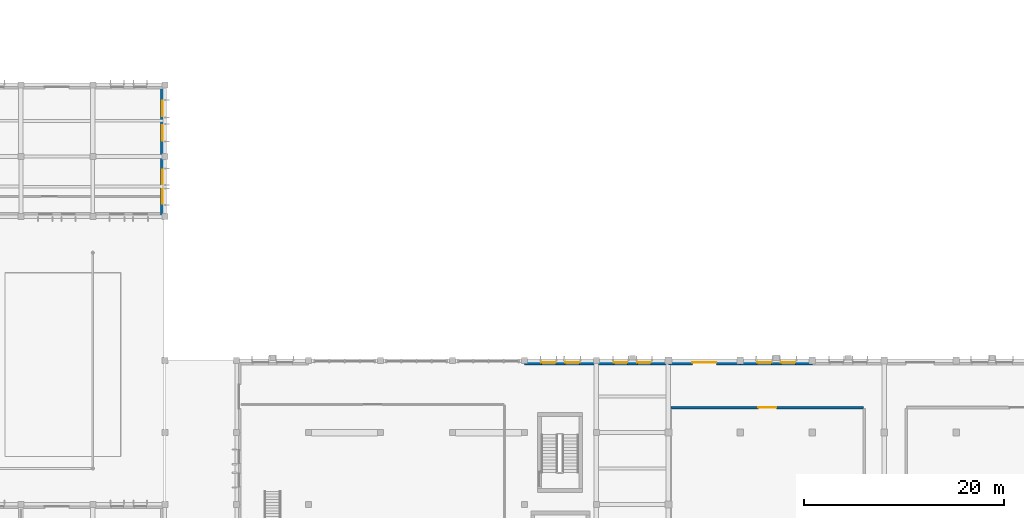
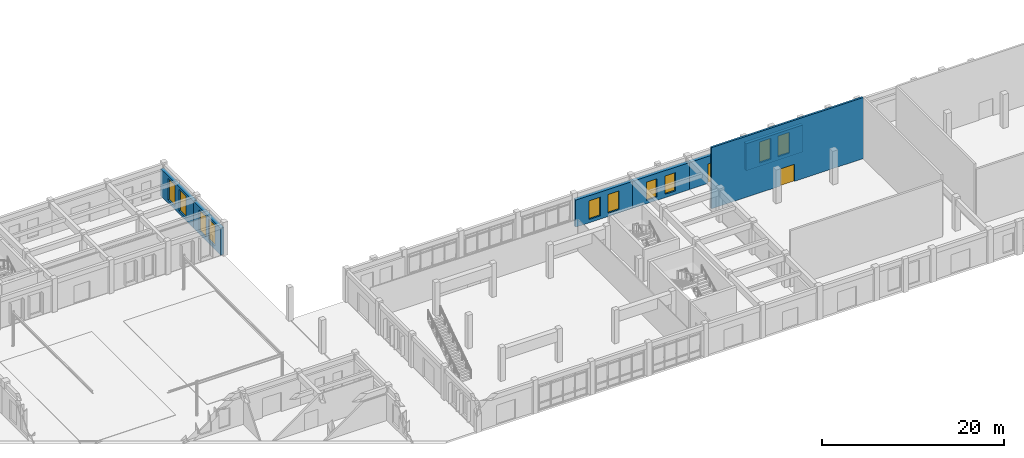
# One storey, part 27 of 43: 10 windows, 7 walls, 2 doors, 12 openings.
"""IFC4 building model written with IfcOpenShell, lengths in metres."""

from ifc_helpers import new_model, si_unit, direction, frame, frame_2d, origin, place, context, subcontext, project, spatial, rectangle, extrude, material, layer, layer_set, type_object, element, fill, save


model = new_model("IFC4")

# Units and contexts
model_context = context("Model", 3, precision=1e-05, world=origin(), true_north=direction((0.0, 1.0)))
body_context = subcontext(model_context, "Body", "Model", "MODEL_VIEW")
ifc_project = project(units=[si_unit("LENGTHUNIT", "METRE"), si_unit("AREAUNIT", "SQUARE_METRE"), si_unit("VOLUMEUNIT", "CUBIC_METRE"), si_unit("PLANEANGLEUNIT", "RADIAN"), si_unit("MASSUNIT", "GRAM", prefix="KILO")], contexts=[model_context])

# Site, building, storey
site_placement = place(None, origin())
site = spatial("IfcSite", under=ifc_project, at=site_placement, CompositionType="ELEMENT")
building_placement = place(site_placement, origin())
building = spatial("IfcBuilding", under=site, at=building_placement, Name="Alvorim Cloister Faculty of Sciences", CompositionType="ELEMENT")
storey_placement = place(building_placement, origin())
storey = spatial("IfcBuildingStorey", under=building, at=storey_placement, Name="L00", CompositionType="ELEMENT", Elevation=0.0)

# Wall, openings, windows
ifc_material_1 = material(Name="Maua Grey Granite Stone", Category="masonry")
ifc_layer_1 = layer(ifc_material_1, 0.419921875)
ifc_layer_set_1 = layer_set([ifc_layer_1], Name="Maua Grey Granite Stone")
wall_type_1 = type_object("IfcWallType", Name="WL-EXT-GRN-420", PredefinedType="SOLIDWALL", material=ifc_layer_set_1)
wall_1_placement = place(storey_placement, frame((64.590087890625, 49.199951171875, 0.0), z_axis=(0.0, 0.0, 1.0), x_axis=(0.0, 1.0, 0.0)))
wall_1 = element("IfcWall", 1, at=wall_1_placement, inside=storey, type_object=wall_type_1, Name="L00 Exterior Wall WL-0061", PredefinedType="SOLIDWALL", context=body_context, shape_type="SweptSolid", body=[
    extrude(rectangle(XDim=7.199951171875, YDim=0.419921875, at=frame_2d((3.60009765625, 0.0))), origin(), (0.0, 0.0, 1.0), 3.6201171875),
])
opening_1_placement = place(wall_1_placement, frame((1.61669921875, 0.0, 0.449951171875)))
opening_1 = element("IfcOpeningElement", 2, at=opening_1_placement, cuts=wall_1, Name="Opening W-07", PredefinedType="OPENING", context=body_context, shape_type="SweptSolid", body=[
    extrude(rectangle(XDim=1.550048828125, YDim=2.85009765625, at=frame_2d((0.77490234375, 1.425048828125))), frame((0.0, 0.221923828125, 0.0), z_axis=(0.0, -1.0, 0.0), x_axis=(1.0, 0.0, 0.0)), (0.0, 0.0, 1.0), 0.44384765625),
])
opening_2_placement = place(wall_1_placement, frame((4.033203125, 0.0, 0.449951171875)))
opening_2 = element("IfcOpeningElement", 3, at=opening_2_placement, cuts=wall_1, Name="Opening W-07", PredefinedType="OPENING", context=body_context, shape_type="SweptSolid", body=[
    extrude(rectangle(XDim=1.550048828125, YDim=2.85009765625, at=frame_2d((0.77490234375, 1.425048828125))), frame((0.0, 0.221923828125, 0.0), z_axis=(0.0, -1.0, 0.0), x_axis=(1.0, 0.0, 0.0)), (0.0, 0.0, 1.0), 0.44384765625),
])
ifc_material_2 = material(Name="Double Low-E Laminated Glass", Category="glass")
window_type_1 = type_object("IfcWindowType", Name="WN-LAN-1550x2850", PartitioningType="SINGLE_PANEL", PredefinedType="WINDOW", material=ifc_material_2)
window_1_placement = place(opening_1_placement, origin())
window_1 = element("IfcWindow", 4, at=window_1_placement, inside=storey, type_object=window_type_1, Name="L00 Gothic Lancet Window WN-0065", OverallHeight=2.85009765625, OverallWidth=1.550048828125, PartitioningType="SINGLE_PANEL", PredefinedType="WINDOW", context=body_context, shape_type="SweptSolid", body=[
    extrude(rectangle(XDim=1.550048828125, YDim=2.85009765625, at=frame_2d((0.77490234375, 1.425048828125))), frame((0.0, 0.030029296875, 0.0), z_axis=(0.0, -1.0, 0.0), x_axis=(1.0, 0.0, 0.0)), (0.0, 0.0, 1.0), 0.06005859375),
])
fill(opening_1, window_1)
window_2_placement = place(opening_2_placement, origin())
window_2 = element("IfcWindow", 5, at=window_2_placement, inside=storey, type_object=window_type_1, Name="L00 Gothic Lancet Window WN-0066", OverallHeight=2.85009765625, OverallWidth=1.550048828125, PartitioningType="SINGLE_PANEL", PredefinedType="WINDOW", context=body_context, shape_type="SweptSolid", body=[
    extrude(rectangle(XDim=1.550048828125, YDim=2.85009765625, at=frame_2d((0.77490234375, 1.425048828125))), frame((0.0, 0.030029296875, 0.0), z_axis=(0.0, -1.0, 0.0), x_axis=(1.0, 0.0, 0.0)), (0.0, 0.0, 1.0), 0.06005859375),
])
fill(opening_2, window_2)

wall_2_placement = place(storey_placement, frame((64.590087890625, 43.199951171875, 0.0), z_axis=(0.0, 0.0, 1.0), x_axis=(0.0, 1.0, 0.0)))
wall_2 = element("IfcWall", 6, at=wall_2_placement, inside=storey, type_object=wall_type_1, Name="L00 Exterior Wall WL-0062", PredefinedType="SOLIDWALL", context=body_context, shape_type="SweptSolid", body=[
    extrude(rectangle(XDim=6.0, YDim=0.419921875, at=frame_2d((3.0, 0.0))), origin(), (0.0, 0.0, 1.0), 3.6201171875),
])
opening_3_placement = place(wall_2_placement, frame((1.283203125, 0.0, 0.449951171875)))
opening_3 = element("IfcOpeningElement", 7, at=opening_3_placement, cuts=wall_2, Name="Opening W-08", PredefinedType="OPENING", context=body_context, shape_type="SweptSolid", body=[
    extrude(rectangle(XDim=1.449951171875, YDim=2.800048828125, at=frame_2d((0.72509765625, 1.39990234375))), frame((0.0, 0.221923828125, 0.0), z_axis=(0.0, -1.0, 0.0), x_axis=(1.0, 0.0, 0.0)), (0.0, 0.0, 1.0), 0.44384765625),
])
opening_4_placement = place(wall_2_placement, frame((3.2666015625, 0.0, 0.449951171875)))
opening_4 = element("IfcOpeningElement", 8, at=opening_4_placement, cuts=wall_2, Name="Opening W-08", PredefinedType="OPENING", context=body_context, shape_type="SweptSolid", body=[
    extrude(rectangle(XDim=1.449951171875, YDim=2.800048828125, at=frame_2d((0.72509765625, 1.39990234375))), frame((0.0, 0.221923828125, 0.0), z_axis=(0.0, -1.0, 0.0), x_axis=(1.0, 0.0, 0.0)), (0.0, 0.0, 1.0), 0.44384765625),
])
window_type_2 = type_object("IfcWindowType", Name="WN-LAN-1450x2800", PartitioningType="SINGLE_PANEL", PredefinedType="WINDOW", material=ifc_material_2)
window_3_placement = place(opening_3_placement, origin())
window_3 = element("IfcWindow", 9, at=window_3_placement, inside=storey, type_object=window_type_2, Name="L00 Gothic Lancet Window WN-0067", OverallHeight=2.800048828125, OverallWidth=1.449951171875, PartitioningType="SINGLE_PANEL", PredefinedType="WINDOW", context=body_context, shape_type="SweptSolid", body=[
    extrude(rectangle(XDim=1.449951171875, YDim=2.800048828125, at=frame_2d((0.72509765625, 1.39990234375))), frame((0.0, 0.030029296875, 0.0), z_axis=(0.0, -1.0, 0.0), x_axis=(1.0, 0.0, 0.0)), (0.0, 0.0, 1.0), 0.06005859375),
])
fill(opening_3, window_3)
window_4_placement = place(opening_4_placement, origin())
window_4 = element("IfcWindow", 10, at=window_4_placement, inside=storey, type_object=window_type_2, Name="L00 Gothic Lancet Window WN-0068", OverallHeight=2.800048828125, OverallWidth=1.449951171875, PartitioningType="SINGLE_PANEL", PredefinedType="WINDOW", context=body_context, shape_type="SweptSolid", body=[
    extrude(rectangle(XDim=1.449951171875, YDim=2.800048828125, at=frame_2d((0.72509765625, 1.39990234375))), frame((0.0, 0.030029296875, 0.0), z_axis=(0.0, -1.0, 0.0), x_axis=(1.0, 0.0, 0.0)), (0.0, 0.0, 1.0), 0.06005859375),
])
fill(opening_4, window_4)

# Wall, opening, door
wall_3_placement = place(storey_placement, frame((115.199951171875, 28.590087890625, 0.0), z_axis=(0.0, 0.0, 1.0), x_axis=(1.0, 0.0, 0.0)))
wall_3 = element("IfcWall", 11, at=wall_3_placement, inside=storey, type_object=wall_type_1, Name="L00 Exterior Wall WL-0077", PredefinedType="SOLIDWALL", context=body_context, shape_type="SweptSolid", body=[
    extrude(rectangle(XDim=7.199951171875, YDim=0.419921875, at=frame_2d((3.60009765625, 0.0))), origin(), (0.0, 0.0, 1.0), 3.6201171875),
])
opening_5_placement = place(wall_3_placement, frame((2.39990234375, 0.0, 0.0)))
opening_5 = element("IfcOpeningElement", 12, at=opening_5_placement, cuts=wall_3, Name="Opening SG-02", PredefinedType="OPENING", context=body_context, shape_type="SweptSolid", body=[
    extrude(rectangle(XDim=2.39990234375, YDim=2.60009765625, at=frame_2d((1.199951171875, 1.300048828125))), frame((0.0, 0.221923828125, 0.0), z_axis=(0.0, -1.0, 0.0), x_axis=(1.0, 0.0, 0.0)), (0.0, 0.0, 1.0), 0.44384765625),
])
ifc_material_3 = material(Name="Galvanised Steel Sheet", Category="steel")
door_type_1 = type_object("IfcDoorType", Name="DR-GATE-2400x2600", OperationType="NOTDEFINED", PredefinedType="GATE", material=ifc_material_3)
door_1_placement = place(opening_5_placement, origin())
door_1 = element("IfcDoor", 13, at=door_1_placement, inside=storey, type_object=door_type_1, Name="West Auditorium Yard Gate SG-02", OperationType="DOUBLE_DOOR_SINGLE_SWING", OverallHeight=2.60009765625, OverallWidth=2.39990234375, PredefinedType="GATE", context=body_context, shape_type="SweptSolid", body=[
    extrude(rectangle(XDim=2.39990234375, YDim=2.60009765625, at=frame_2d((1.199951171875, 1.300048828125))), frame((0.0, 0.02490234375, 0.0), z_axis=(0.0, -1.0, 0.0), x_axis=(1.0, 0.0, 0.0)), (0.0, 0.0, 1.0), 0.050048828125),
])
fill(opening_5, door_1)

# Wall, openings, windows
wall_4_placement = place(storey_placement, frame((122.39990234375, 28.590087890625, 0.0), z_axis=(0.0, 0.0, 1.0), x_axis=(1.0, 0.0, 0.0)))
wall_4 = element("IfcWall", 14, at=wall_4_placement, inside=storey, type_object=wall_type_1, Name="L00 Exterior Wall WL-0078", PredefinedType="SOLIDWALL", context=body_context, shape_type="SweptSolid", body=[
    extrude(rectangle(XDim=7.2001953125, YDim=0.419921875, at=frame_2d((3.60009765625, 0.0))), origin(), (0.0, 0.0, 1.0), 3.6201171875),
])
opening_6_placement = place(wall_4_placement, frame((1.683349609375, 0.0, 0.449951171875)))
opening_6 = element("IfcOpeningElement", 15, at=opening_6_placement, cuts=wall_4, Name="Opening W-08", PredefinedType="OPENING", context=body_context, shape_type="SweptSolid", body=[
    extrude(rectangle(XDim=1.449951171875, YDim=2.800048828125, at=frame_2d((0.72509765625, 1.39990234375))), frame((0.0, 0.221923828125, 0.0), z_axis=(0.0, -1.0, 0.0), x_axis=(1.0, 0.0, 0.0)), (0.0, 0.0, 1.0), 0.44384765625),
])
opening_7_placement = place(wall_4_placement, frame((4.066650390625, 0.0, 0.449951171875)))
opening_7 = element("IfcOpeningElement", 16, at=opening_7_placement, cuts=wall_4, Name="Opening W-08", PredefinedType="OPENING", context=body_context, shape_type="SweptSolid", body=[
    extrude(rectangle(XDim=1.449951171875, YDim=2.800048828125, at=frame_2d((0.72509765625, 1.39990234375))), frame((0.0, 0.221923828125, 0.0), z_axis=(0.0, -1.0, 0.0), x_axis=(1.0, 0.0, 0.0)), (0.0, 0.0, 1.0), 0.44384765625),
])
window_5_placement = place(opening_6_placement, origin())
window_5 = element("IfcWindow", 17, at=window_5_placement, inside=storey, type_object=window_type_2, Name="L00 Gothic Lancet Window WN-0094", OverallHeight=2.800048828125, OverallWidth=1.449951171875, PartitioningType="SINGLE_PANEL", PredefinedType="WINDOW", context=body_context, shape_type="SweptSolid", body=[
    extrude(rectangle(XDim=1.449951171875, YDim=2.800048828125, at=frame_2d((0.72509765625, 1.39990234375))), frame((0.0, 0.030029296875, 0.0), z_axis=(0.0, -1.0, 0.0), x_axis=(1.0, 0.0, 0.0)), (0.0, 0.0, 1.0), 0.06005859375),
])
fill(opening_6, window_5)
window_6_placement = place(opening_7_placement, origin())
window_6 = element("IfcWindow", 18, at=window_6_placement, inside=storey, type_object=window_type_2, Name="L00 Gothic Lancet Window WN-0095", OverallHeight=2.800048828125, OverallWidth=1.449951171875, PartitioningType="SINGLE_PANEL", PredefinedType="WINDOW", context=body_context, shape_type="SweptSolid", body=[
    extrude(rectangle(XDim=1.449951171875, YDim=2.800048828125, at=frame_2d((0.72509765625, 1.39990234375))), frame((0.0, 0.030029296875, 0.0), z_axis=(0.0, -1.0, 0.0), x_axis=(1.0, 0.0, 0.0)), (0.0, 0.0, 1.0), 0.06005859375),
])
fill(opening_7, window_6)

wall_5_placement = place(storey_placement, frame((100.800048828125, 28.590087890625, 0.0), z_axis=(0.0, 0.0, 1.0), x_axis=(1.0, 0.0, 0.0)))
wall_5 = element("IfcWall", 19, at=wall_5_placement, inside=storey, type_object=wall_type_1, Name="L00 Exterior Wall WL-0103", PredefinedType="SOLIDWALL", context=body_context, shape_type="SweptSolid", body=[
    extrude(rectangle(XDim=7.199951171875, YDim=0.419921875, at=frame_2d((3.60009765625, 0.0))), origin(), (0.0, 0.0, 1.0), 3.6201171875),
])
opening_8_placement = place(wall_5_placement, frame((1.683349609375, 0.0, 0.449951171875)))
opening_8 = element("IfcOpeningElement", 20, at=opening_8_placement, cuts=wall_5, Name="Opening W-17", PredefinedType="OPENING", context=body_context, shape_type="SweptSolid", body=[
    extrude(rectangle(XDim=1.449951171875, YDim=2.5, at=frame_2d((0.72509765625, 1.25))), frame((0.0, 0.221923828125, 0.0), z_axis=(0.0, -1.0, 0.0), x_axis=(1.0, 0.0, 0.0)), (0.0, 0.0, 1.0), 0.44384765625),
])
opening_9_placement = place(wall_5_placement, frame((4.066650390625, 0.0, 0.449951171875)))
opening_9 = element("IfcOpeningElement", 21, at=opening_9_placement, cuts=wall_5, Name="Opening W-17", PredefinedType="OPENING", context=body_context, shape_type="SweptSolid", body=[
    extrude(rectangle(XDim=1.449951171875, YDim=2.5, at=frame_2d((0.72509765625, 1.25))), frame((0.0, 0.221923828125, 0.0), z_axis=(0.0, -1.0, 0.0), x_axis=(1.0, 0.0, 0.0)), (0.0, 0.0, 1.0), 0.44384765625),
])
window_type_3 = type_object("IfcWindowType", Name="WN-LAB-1450x2500", PartitioningType="SINGLE_PANEL", PredefinedType="WINDOW", material=ifc_material_2)
window_7_placement = place(opening_8_placement, origin())
window_7 = element("IfcWindow", 22, at=window_7_placement, inside=storey, type_object=window_type_3, Name="L00 Gothic Lancet Window WN-0120", OverallHeight=2.5, OverallWidth=1.449951171875, PartitioningType="SINGLE_PANEL", PredefinedType="WINDOW", context=body_context, shape_type="SweptSolid", body=[
    extrude(rectangle(XDim=1.449951171875, YDim=2.5, at=frame_2d((0.72509765625, 1.25))), frame((0.0, 0.030029296875, 0.0), z_axis=(0.0, -1.0, 0.0), x_axis=(1.0, 0.0, 0.0)), (0.0, 0.0, 1.0), 0.06005859375),
])
fill(opening_8, window_7)
window_8_placement = place(opening_9_placement, origin())
window_8 = element("IfcWindow", 23, at=window_8_placement, inside=storey, type_object=window_type_3, Name="L00 Gothic Lancet Window WN-0121", OverallHeight=2.5, OverallWidth=1.449951171875, PartitioningType="SINGLE_PANEL", PredefinedType="WINDOW", context=body_context, shape_type="SweptSolid", body=[
    extrude(rectangle(XDim=1.449951171875, YDim=2.5, at=frame_2d((0.72509765625, 1.25))), frame((0.0, 0.030029296875, 0.0), z_axis=(0.0, -1.0, 0.0), x_axis=(1.0, 0.0, 0.0)), (0.0, 0.0, 1.0), 0.06005859375),
])
fill(opening_9, window_8)

wall_6_placement = place(storey_placement, frame((108.0, 28.590087890625, 0.0), z_axis=(0.0, 0.0, 1.0), x_axis=(1.0, 0.0, 0.0)))
wall_6 = element("IfcWall", 24, at=wall_6_placement, inside=storey, type_object=wall_type_1, Name="L00 Exterior Wall WL-0104", PredefinedType="SOLIDWALL", context=body_context, shape_type="SweptSolid", body=[
    extrude(rectangle(XDim=7.199951171875, YDim=0.419921875, at=frame_2d((3.60009765625, 0.0))), origin(), (0.0, 0.0, 1.0), 3.6201171875),
])
opening_10_placement = place(wall_6_placement, frame((1.75, 0.0, 0.449951171875)))
opening_10 = element("IfcOpeningElement", 25, at=opening_10_placement, cuts=wall_6, Name="Opening W-18", PredefinedType="OPENING", context=body_context, shape_type="SweptSolid", body=[
    extrude(rectangle(XDim=1.35009765625, YDim=2.449951171875, at=frame_2d((0.675048828125, 1.22509765625))), frame((0.0, 0.221923828125, 0.0), z_axis=(0.0, -1.0, 0.0), x_axis=(1.0, 0.0, 0.0)), (0.0, 0.0, 1.0), 0.44384765625),
])
opening_11_placement = place(wall_6_placement, frame((4.10009765625, 0.0, 0.449951171875)))
opening_11 = element("IfcOpeningElement", 26, at=opening_11_placement, cuts=wall_6, Name="Opening W-18", PredefinedType="OPENING", context=body_context, shape_type="SweptSolid", body=[
    extrude(rectangle(XDim=1.35009765625, YDim=2.449951171875, at=frame_2d((0.675048828125, 1.22509765625))), frame((0.0, 0.221923828125, 0.0), z_axis=(0.0, -1.0, 0.0), x_axis=(1.0, 0.0, 0.0)), (0.0, 0.0, 1.0), 0.44384765625),
])
window_type_4 = type_object("IfcWindowType", Name="WN-LAB-1350x2450", PartitioningType="SINGLE_PANEL", PredefinedType="WINDOW", material=ifc_material_2)
window_9_placement = place(opening_10_placement, origin())
window_9 = element("IfcWindow", 27, at=window_9_placement, inside=storey, type_object=window_type_4, Name="L00 Gothic Lancet Window WN-0122", OverallHeight=2.449951171875, OverallWidth=1.35009765625, PartitioningType="SINGLE_PANEL", PredefinedType="WINDOW", context=body_context, shape_type="SweptSolid", body=[
    extrude(rectangle(XDim=1.35009765625, YDim=2.449951171875, at=frame_2d((0.675048828125, 1.22509765625))), frame((0.0, 0.030029296875, 0.0), z_axis=(0.0, -1.0, 0.0), x_axis=(1.0, 0.0, 0.0)), (0.0, 0.0, 1.0), 0.06005859375),
])
fill(opening_10, window_9)
window_10_placement = place(opening_11_placement, origin())
window_10 = element("IfcWindow", 28, at=window_10_placement, inside=storey, type_object=window_type_4, Name="L00 Gothic Lancet Window WN-0123", OverallHeight=2.449951171875, OverallWidth=1.35009765625, PartitioningType="SINGLE_PANEL", PredefinedType="WINDOW", context=body_context, shape_type="SweptSolid", body=[
    extrude(rectangle(XDim=1.35009765625, YDim=2.449951171875, at=frame_2d((0.675048828125, 1.22509765625))), frame((0.0, 0.030029296875, 0.0), z_axis=(0.0, -1.0, 0.0), x_axis=(1.0, 0.0, 0.0)), (0.0, 0.0, 1.0), 0.06005859375),
])
fill(opening_11, window_10)

# Wall, opening, door
ifc_material_4 = material(Name="Autoclaved Aerated Concrete Blockwork", Category="masonry")
ifc_layer_2 = layer(ifc_material_4, 0.25)
ifc_layer_set_2 = layer_set([ifc_layer_2], Name="Autoclaved Aerated Concrete Blockwork")
wall_type_2 = type_object("IfcWallType", Name="WL-PRT-250", PredefinedType="PARTITIONING", material=ifc_layer_set_2)
wall_7_placement = place(storey_placement, frame((115.47998046875, 24.10009765625, 0.0), z_axis=(0.0, 0.0, 1.0), x_axis=(1.0, 0.0, 0.0)))
wall_7 = element("IfcWall", 29, at=wall_7_placement, inside=storey, type_object=wall_type_2, Name="L00 Lecture Theatre A - 350 Seats Partition IWL-0493", PredefinedType="PARTITIONING", context=body_context, shape_type="SweptSolid", body=[
    extrude(rectangle(XDim=19.239990234375, YDim=0.25, at=frame_2d((9.6201171875, 0.0))), origin(), (0.0, 0.0, 1.0), 8.18505859375),
])
opening_12_placement = place(wall_7_placement, frame((8.719970703125, 0.0, 0.0)))
opening_12 = element("IfcOpeningElement", 30, at=opening_12_placement, cuts=wall_7, Name="Opening D-L00-098", PredefinedType="OPENING", context=body_context, shape_type="SweptSolid", body=[
    extrude(rectangle(XDim=1.800048828125, YDim=2.300048828125, at=frame_2d((0.89990234375, 1.14990234375))), frame((0.0, 0.136962890625, 0.0), z_axis=(0.0, -1.0, 0.0), x_axis=(1.0, 0.0, 0.0)), (0.0, 0.0, 1.0), 0.27392578125),
])
ifc_material_5 = material(Name="Solid Acoustic Oak Timber", Category="wood")
door_type_2 = type_object("IfcDoorType", Name="DR-HALL-1800x2300", OperationType="NOTDEFINED", PredefinedType="DOOR", material=ifc_material_5)
door_2_placement = place(opening_12_placement, origin())
door_2 = element("IfcDoor", 31, at=door_2_placement, inside=storey, type_object=door_type_2, Name="Lecture Theatre A - 350 Seats Door D-L00-098", OperationType="DOUBLE_DOOR_SINGLE_SWING", OverallHeight=2.300048828125, OverallWidth=1.800048828125, PredefinedType="DOOR", context=body_context, shape_type="SweptSolid", body=[
    extrude(rectangle(XDim=1.800048828125, YDim=2.300048828125, at=frame_2d((0.89990234375, 1.14990234375))), frame((0.0, 0.02490234375, 0.0), z_axis=(0.0, -1.0, 0.0), x_axis=(1.0, 0.0, 0.0)), (0.0, 0.0, 1.0), 0.050048828125),
])
fill(opening_12, door_2)

save(model, "model.ifc")
